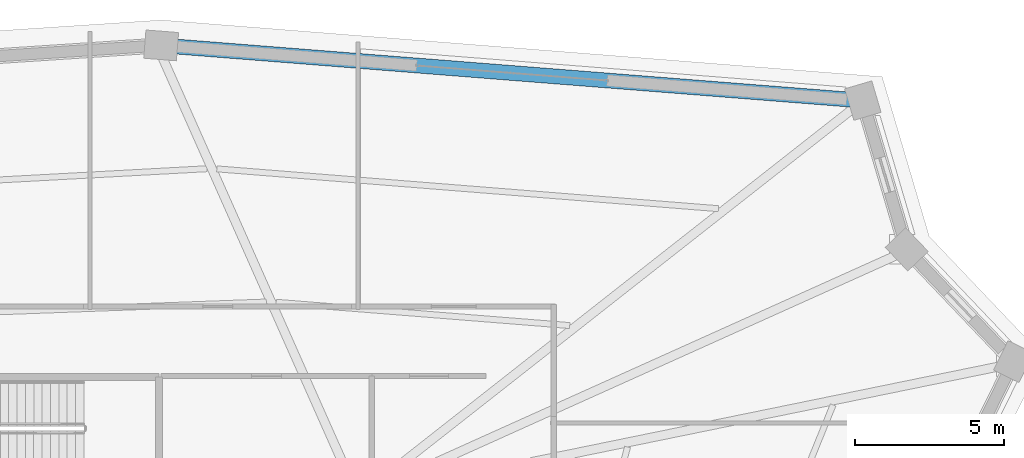
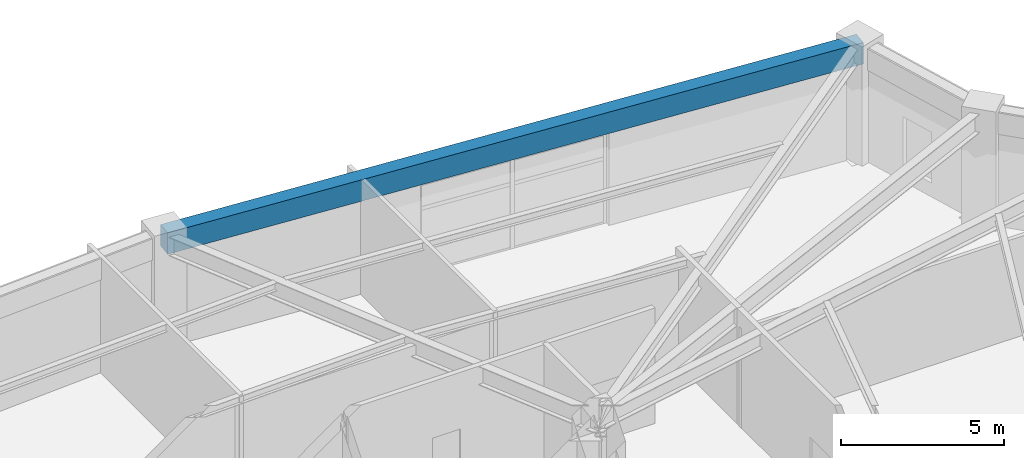
# One storey, part 25 of 35: 1 beam.
"""IFC4 building model written with IfcOpenShell, lengths in metres."""

from ifc_helpers import new_model, si_unit, direction, frame, origin, origin_2d, place, context, subcontext, project, spatial, rectangle, extrude, source, transform, mapped, material, material_profile, profile_set, type_object, element, save


model = new_model("IFC4")

# Units and contexts
model_context = context("Model", 3, precision=1e-05, world=origin(), true_north=direction((0.0, 1.0)))
body_context = subcontext(model_context, "Body", "Model", "MODEL_VIEW")
ifc_project = project(units=[si_unit("LENGTHUNIT", "METRE"), si_unit("AREAUNIT", "SQUARE_METRE"), si_unit("VOLUMEUNIT", "CUBIC_METRE"), si_unit("PLANEANGLEUNIT", "RADIAN"), si_unit("MASSUNIT", "GRAM", prefix="KILO")], contexts=[model_context])

# Site, building, storey
site_placement = place(None, origin())
site = spatial("IfcSite", under=ifc_project, at=site_placement, CompositionType="ELEMENT")
building_placement = place(site_placement, origin())
building = spatial("IfcBuilding", under=site, at=building_placement, Name="Liaohun Quay Tower", CompositionType="ELEMENT")
storey_placement = place(building_placement, frame((0.0, 0.0, 282.0)))
storey = spatial("IfcBuildingStorey", under=building, at=storey_placement, Name="L73", CompositionType="ELEMENT", Elevation=282.0)

# Beam
ifc_material = material(Name="Precast concrete C50", Category="concrete")
ifc_material_profile = material_profile(ifc_material, rectangle(XDim=0.5, YDim=0.800048828125, at=origin_2d()), Name="RC500x800")
ifc_profile_set = profile_set([ifc_material_profile], Name="Precast concrete C50")
beam_type = type_object("IfcBeamType", Name="BM-SPD-Z4", PredefinedType="SPANDREL", material=ifc_profile_set)
shared_shape = source(origin(), body_context, "Body", "SweptSolid", [
    extrude(rectangle(XDim=0.5, YDim=0.800048828125, at=origin_2d()), origin(), (0.0, 0.0, 1.0), 23.627685546875),
])
beam_placement = place(storey_placement, frame((62.386962890625, 76.677001953125, 3.919921875), z_axis=(0.9969167028, -0.078467112085, 0.0), x_axis=(0.078467112085, 0.9969167028, 0.0)))
element("IfcBeam", 1, at=beam_placement, inside=storey, type_object=beam_type, Name="L73 Precast Spandrel Beam PC06-PC07", PredefinedType="SPANDREL", context=body_context, shape_type="MappedRepresentation", body=[
    mapped(shared_shape, transform((0.0, 0.0, 0.0), x_axis=(1.0, 0.0, 0.0), y_axis=(0.0, 1.0, 0.0), z_axis=(0.0, 0.0, 1.0), scale=1.0)),
])

save(model, "model.ifc")
